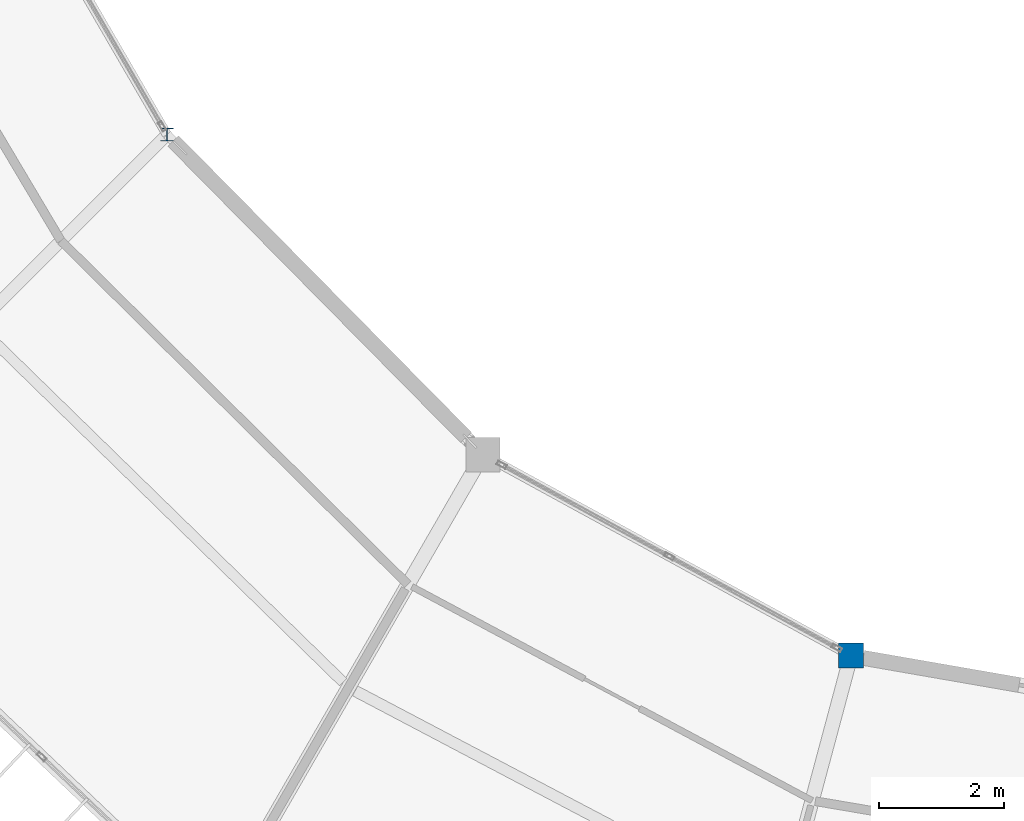
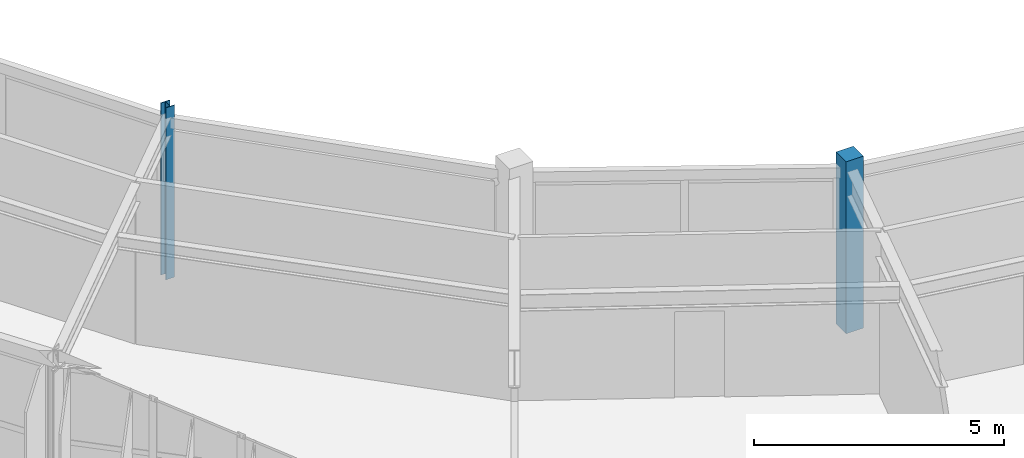
# One storey, part 4 of 157: 2 columns.
"""IFC4 building model written with IfcOpenShell, lengths in metres."""

import ifcopenshell
import ifcopenshell.guid

model = None  # the IFC model being written
_history = None  # IfcOwnerHistory: only IFC2X3 demands one
_inside = {}  # id of a spatial element -> (the spatial element, [elements in it])
_under = {}  # id of a project, library or spatial element -> (it, [spatial elements below it])
_declared = {}  # id of a project -> (the project, [libraries it declares])
_typed = {}  # id of a type object -> (the type object, [elements of that type])
_made_of = {}  # id of a material, layer set ... -> (it, [elements and type objects made of it])


def new_model(schema):
    """Start an empty IFC model of exactly this schema.

    Asked for "IFC4X3", IfcOpenShell would pick the latest addendum, in which some entities
    have other attributes; the version numbers below select the first issue.
    IFC2X3 requires an IfcOwnerHistory on every rooted entity: one is made here for all.
    """
    global model, _history
    if schema == "IFC4X3":
        model = ifcopenshell.file(schema_version=(4, 3, 0, 0))
    else:
        model = ifcopenshell.file(schema=schema)
    _inside.clear()
    _under.clear()
    _declared.clear()
    _typed.clear()
    _made_of.clear()
    _history = None
    if model.schema == "IFC2X3":
        org = make("IfcOrganization", Name="unknown")
        user = make(
            "IfcPersonAndOrganization",
            ThePerson=make("IfcPerson", FamilyName="unknown"),
            TheOrganization=org,
        )
        app = make(
            "IfcApplication",
            ApplicationDeveloper=org,
            Version="unknown",
            ApplicationFullName="unknown",
            ApplicationIdentifier="unknown",
        )
        _history = make(
            "IfcOwnerHistory",
            OwningUser=user,
            OwningApplication=app,
            ChangeAction="ADDED",
            CreationDate=0,
        )
    return model


def make(cls, **values):
    """One entity of the class cls with the attributes given. An attribute that is None is left unset."""
    return model.create_entity(
        cls, **{name: value for name, value in values.items() if value is not None}
    )


def rooted(cls, **values):
    """An entity with a GlobalId (a new one), such as an element, a storey or a relation."""
    return make(cls, GlobalId=ifcopenshell.guid.new(), OwnerHistory=_history, **values)


def si_unit(unit_type, name, prefix=None):
    """IfcSIUnit, for example si_unit("LENGTHUNIT", "METRE", prefix="MILLI")."""
    return make("IfcSIUnit", UnitType=unit_type, Prefix=prefix, Name=name)


def assignment(units):
    """IfcUnitAssignment: the units of a project."""
    return None if units is None else make("IfcUnitAssignment", Units=units)


def point(xyz):
    """IfcCartesianPoint."""
    return None if xyz is None else make("IfcCartesianPoint", Coordinates=xyz)


def direction(xyz):
    """IfcDirection."""
    return None if xyz is None else make("IfcDirection", DirectionRatios=xyz)


def frame(location, z_axis=None, x_axis=None):
    """IfcAxis2Placement3D, a coordinate frame: its origin and axes. An axis left out is left unset."""
    return make(
        "IfcAxis2Placement3D",
        Location=point(location),
        Axis=direction(z_axis),
        RefDirection=direction(x_axis),
    )


def frame_2d(location, x_axis=None):
    """IfcAxis2Placement2D, a coordinate frame in the plane: its origin and x axis."""
    return make(
        "IfcAxis2Placement2D", Location=point(location), RefDirection=direction(x_axis)
    )


def origin():
    """The frame at (0, 0, 0) with its axes left unset."""
    return frame((0.0, 0.0, 0.0))


def origin_2d():
    """The frame at (0, 0) in the plane with its x axis left unset."""
    return frame_2d((0.0, 0.0))


def place(relative_to, where):
    """IfcLocalPlacement: puts the frame where relative to a parent placement (None: the world)."""
    return make(
        "IfcLocalPlacement", PlacementRelTo=relative_to, RelativePlacement=where
    )


def context(
    kind, dimensions, precision=None, world=None, true_north=None, identifier=None
):
    """IfcGeometricRepresentationContext, for example the 3D "Model" context."""
    return make(
        "IfcGeometricRepresentationContext",
        ContextIdentifier=identifier,
        ContextType=kind,
        CoordinateSpaceDimension=dimensions,
        Precision=precision,
        WorldCoordinateSystem=world,
        TrueNorth=true_north,
    )


def subcontext(parent, identifier, kind, view, scale=None):
    """IfcGeometricRepresentationSubContext, for example "Body" below "Model"."""
    return make(
        "IfcGeometricRepresentationSubContext",
        ContextIdentifier=identifier,
        ContextType=kind,
        ParentContext=parent,
        TargetScale=scale,
        TargetView=view,
    )


def project(units=None, contexts=None):
    """IfcProject with its units and contexts."""
    return rooted(
        "IfcProject",
        Name="project",
        RepresentationContexts=contexts,
        UnitsInContext=assignment(units),
    )


def spatial(cls, under=None, at=None, **own):
    """A site, building, storey or space (cls), placed at a placement, below another one or the project."""
    s = rooted(cls, ObjectPlacement=at, **own)
    if under is not None:
        _under.setdefault(under.id(), (under, []))[1].append(s)
    return s


def profile(cls, at=None, kind="AREA", **sizes):
    """A parametric profile (cls). Its sizes go by their IFC names, for example OverallWidth=200.0."""
    return make(cls, ProfileType=kind, Position=at, **sizes)


def rectangle(**sizes):
    """IfcRectangleProfileDef."""
    return profile("IfcRectangleProfileDef", **sizes)


def i_section(**sizes):
    """IfcIShapeProfileDef."""
    return profile("IfcIShapeProfileDef", **sizes)


def extrude(swept, where, along, depth):
    """IfcExtrudedAreaSolid: the profile swept, set in the frame where, extruded along a direction by depth."""
    return make(
        "IfcExtrudedAreaSolid",
        SweptArea=swept,
        Position=where,
        ExtrudedDirection=direction(along),
        Depth=depth,
    )


def shape(context_of_items, identifier, shape_type, items):
    """IfcShapeRepresentation: the items that make up one representation, for example the "Body"."""
    return make(
        "IfcShapeRepresentation",
        ContextOfItems=context_of_items,
        RepresentationIdentifier=identifier,
        RepresentationType=shape_type,
        Items=items,
    )


def material(Name=None, Category=None):
    """IfcMaterial."""
    return make("IfcMaterial", Name=Name, Category=Category)


def material_profile(
    of_material, cross_section, Name=None, Category=None, Priority=None
):
    """IfcMaterialProfile: a cross section and its material."""
    return make(
        "IfcMaterialProfile",
        Name=Name,
        Material=of_material,
        Profile=cross_section,
        Priority=Priority,
        Category=Category,
    )


def profile_set(profiles, Name=None, composite=None):
    """IfcMaterialProfileSet."""
    return make(
        "IfcMaterialProfileSet",
        Name=Name,
        MaterialProfiles=profiles,
        CompositeProfile=composite,
    )


def made_of(thing, what):
    """Note that an element or type object is made of a material, layer set ...; save() writes the relation."""
    if what is not None:
        _made_of.setdefault(what.id(), (what, []))[1].append(thing)
    return thing


def type_object(cls, material=None, **own):
    """A type object (cls), such as IfcWallType, which elements share."""
    return made_of(rooted(cls, **own), material)


def element(
    cls,
    number,
    at=None,
    inside=None,
    cuts=None,
    type_object=None,
    material=None,
    context=None,
    identifier="Body",
    shape_type=None,
    held_by="IfcProductDefinitionShape",
    body=None,
    shapes=None,
    **own,
):
    """One element of the class cls, such as IfcWall. Its Tag is "e" and its number.

    at: its placement. inside: the storey or other place that contains it. cuts: it is an
    opening in that element (IfcRelVoidsElement). A single representation is given by context,
    identifier, shape_type and body (its items); several are given by shapes. held_by: the class
    of the entity that holds the representations. save() writes the other relations.
    """
    e = rooted(cls, Tag="e%d" % number, ObjectPlacement=at, **own)
    if body is not None:
        shapes = [shape(context, identifier, shape_type, body)]
    if shapes is not None:
        e.Representation = make(held_by, Representations=shapes)
    if inside is not None:
        _inside.setdefault(inside.id(), (inside, []))[1].append(e)
    if cuts is not None:
        rooted(
            "IfcRelVoidsElement", RelatingBuildingElement=cuts, RelatedOpeningElement=e
        )
    if type_object is not None:
        _typed.setdefault(type_object.id(), (type_object, []))[1].append(e)
    return made_of(e, material)


def aggregate(whole, parts):
    """IfcRelAggregates: a whole, such as a stair, and the parts it consists of."""
    return rooted("IfcRelAggregates", RelatingObject=whole, RelatedObjects=parts)


def save(model, path):
    """Write the relations noted so far, then the file.

    IfcRelAggregates (storeys below a building ...), IfcRelContainedInSpatialStructure (elements
    in a storey), IfcRelDefinesByType, IfcRelAssociatesMaterial and IfcRelDeclares: one each for
    every whole, place, type object, material and project.
    """
    for whole, parts in _under.values():
        aggregate(whole, parts)
    for where, things in _inside.values():
        rooted(
            "IfcRelContainedInSpatialStructure",
            RelatedElements=things,
            RelatingStructure=where,
        )
    for kind, things in _typed.values():
        rooted("IfcRelDefinesByType", RelatedObjects=things, RelatingType=kind)
    for what, things in _made_of.values():
        rooted("IfcRelAssociatesMaterial", RelatedObjects=things, RelatingMaterial=what)
    for by, libraries in _declared.values():
        rooted("IfcRelDeclares", RelatingContext=by, RelatedDefinitions=libraries)
    model.write(path)


model = new_model("IFC4")

# Units and contexts
model_context = context("Model", 3, precision=1e-05, world=origin(), true_north=direction((0.0, 1.0)))
body_context = subcontext(model_context, "Body", "Model", "MODEL_VIEW")
ifc_project = project(units=[si_unit("LENGTHUNIT", "METRE"), si_unit("AREAUNIT", "SQUARE_METRE"), si_unit("VOLUMEUNIT", "CUBIC_METRE"), si_unit("PLANEANGLEUNIT", "RADIAN"), si_unit("MASSUNIT", "GRAM", prefix="KILO")], contexts=[model_context])

# Site, building, storey
site_placement = place(None, origin())
site = spatial("IfcSite", under=ifc_project, at=site_placement, CompositionType="ELEMENT")
building_placement = place(site_placement, origin())
building = spatial("IfcBuilding", under=site, at=building_placement, Name="Karori Crest Natural Sciences Institute", CompositionType="ELEMENT")
storey_placement = place(building_placement, frame((0.0, 0.0, 13.300048828125)))
storey = spatial("IfcBuildingStorey", under=building, at=storey_placement, Name="L03", CompositionType="ELEMENT", Elevation=13.300048828125)

# Columns
ifc_material_1 = material(Name="Structural steel AS/NZS 3679.1 Grade 350", Category="steel")
ifc_material_profile_1 = material_profile(ifc_material_1, i_section(OverallWidth=0.205078125, OverallDepth=0.2099609375, WebThickness=0.00927734375, FlangeThickness=0.01416015625, FilletRadius=0.010986328125, at=origin_2d()), Name="200UC59.5")
ifc_profile_set_1 = profile_set([ifc_material_profile_1], Name="Structural steel AS/NZS 3679.1 Grade 350")
column_type_1 = type_object("IfcColumnType", Name="CT-08", PredefinedType="COLUMN", material=ifc_profile_set_1)
column_1_placement = place(storey_placement, frame((49.146484375, 27.131103515625, 0.0), z_axis=(0.0, 0.0, 1.0), x_axis=(1.0, 0.0, 0.0)))
element("IfcColumn", 1, at=column_1_placement, inside=storey, type_object=column_type_1, Name="Column C-0260", PredefinedType="COLUMN", context=body_context, shape_type="SweptSolid", body=[
    extrude(i_section(OverallWidth=0.205078125, OverallDepth=0.2099609375, WebThickness=0.00927734375, FlangeThickness=0.01416015625, FilletRadius=0.010986328125, at=origin_2d()), origin(), (0.0, 0.0, 1.0), 4.199951171875),
])
ifc_material_2 = material(Name="Concrete 50 MPa", Category="concrete")
ifc_material_profile_2 = material_profile(ifc_material_2, rectangle(XDim=0.39990234375, YDim=0.39990234375, at=origin_2d()), Name="RC400x400")
ifc_profile_set_2 = profile_set([ifc_material_profile_2], Name="Concrete 50 MPa")
column_type_2 = type_object("IfcColumnType", Name="CT-31", PredefinedType="PILASTER", material=ifc_profile_set_2)
column_2_placement = place(storey_placement, frame((60.084716796875, 18.797119140625, 0.0), z_axis=(0.0, 0.0, 1.0), x_axis=(1.0, 0.0, 0.0)))
element("IfcColumn", 2, at=column_2_placement, inside=storey, type_object=column_type_2, Name="Column C-0290", PredefinedType="PILASTER", context=body_context, shape_type="SweptSolid", body=[
    extrude(rectangle(XDim=0.39990234375, YDim=0.39990234375, at=origin_2d()), origin(), (0.0, 0.0, 1.0), 4.199951171875),
])

save(model, "model.ifc")
